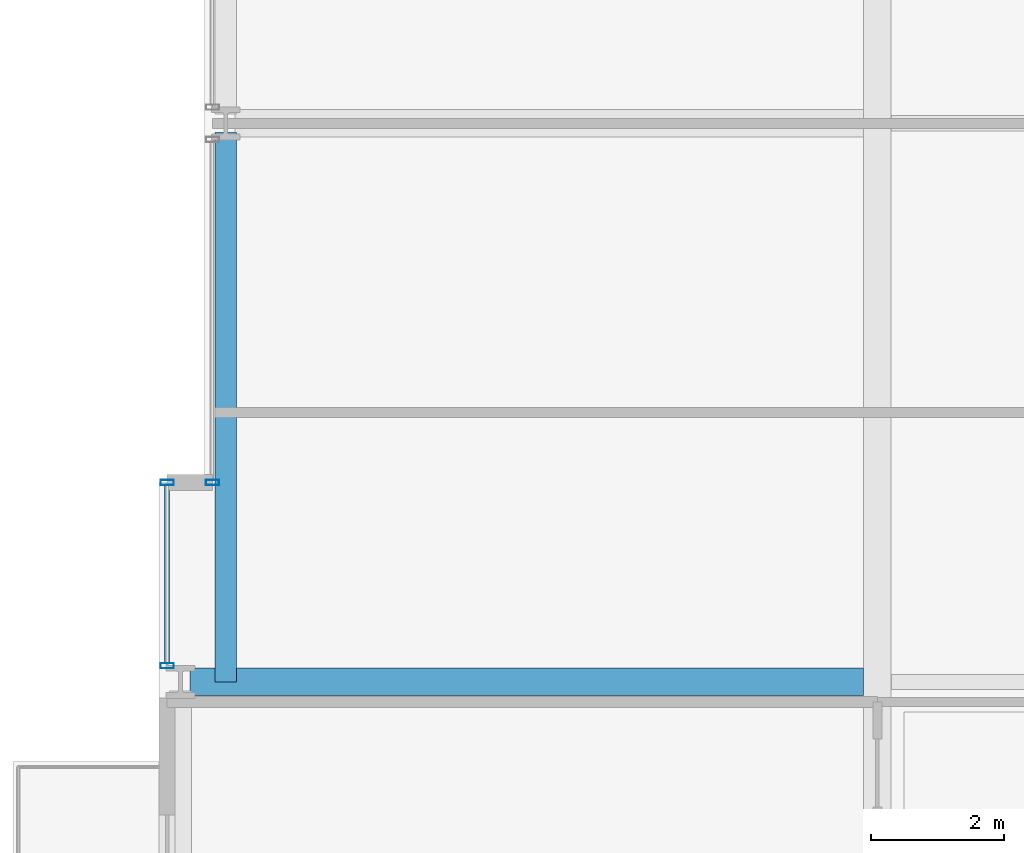
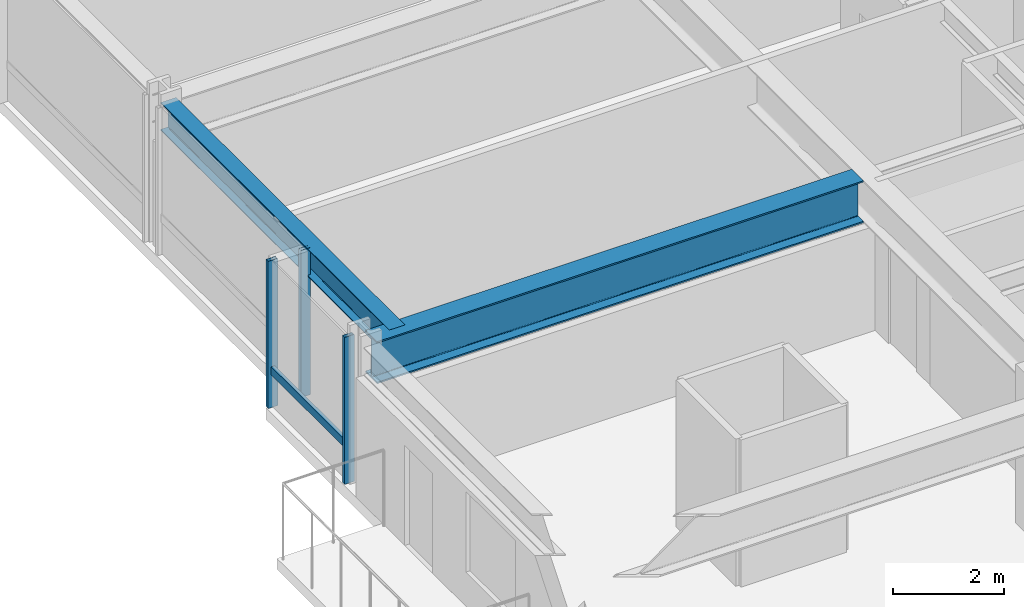
# One storey, part 7 of 42: 4 members, 2 beams, 2 elements without a shape of their own.
"""IFC4 building model written with IfcOpenShell, lengths in metres."""

from ifc_helpers import new_model, si_unit, direction, frame, origin, origin_2d, place, context, subcontext, project, spatial, hollow_rectangle, i_section, extrude, material, layer, layer_set, material_profile, profile_set, type_object, element, aggregate, save


model = new_model("IFC4")

# Units and contexts
model_context = context("Model", 3, precision=1e-05, world=origin(), true_north=direction((0.0, 1.0)))
body_context = subcontext(model_context, "Body", "Model", "MODEL_VIEW")
ifc_project = project(units=[si_unit("LENGTHUNIT", "METRE"), si_unit("AREAUNIT", "SQUARE_METRE"), si_unit("VOLUMEUNIT", "CUBIC_METRE"), si_unit("PLANEANGLEUNIT", "RADIAN"), si_unit("MASSUNIT", "GRAM", prefix="KILO")], contexts=[model_context])

# Site, building, storey
site_placement = place(None, origin())
site = spatial("IfcSite", under=ifc_project, at=site_placement, CompositionType="ELEMENT")
building_placement = place(site_placement, origin())
building = spatial("IfcBuilding", under=site, at=building_placement, Name="Drelvath Grand Hotel", CompositionType="ELEMENT")
storey_placement = place(building_placement, frame((0.0, 0.0, 33.199951171875)))
storey = spatial("IfcBuildingStorey", under=building, at=storey_placement, Name="L06", CompositionType="ELEMENT", Elevation=33.199951171875)

# Curtain wall, members
ifc_material_1 = material(Name="Warm Bronze Anodised Aluminium Frame", Category="aluminium")
ifc_layer = layer(ifc_material_1, 0.199951171875)
ifc_layer_set = layer_set([ifc_layer], Name="Warm Bronze Anodised Aluminium Frame")
curtain_wall_type = type_object("IfcCurtainWallType", Name="Stick Curtain Wall CW-02 Warm Bronze Low-Rise", PredefinedType="NOTDEFINED", material=ifc_layer_set)
curtain_wall_1_placement = place(storey_placement, origin())
curtain_wall_1 = element("IfcCurtainWall", 1, at=curtain_wall_1_placement, inside=storey, type_object=curtain_wall_type, Name="L06 CW-02 Curtain Wall CW02-L06-WS3", PredefinedType="NOTDEFINED")
ifc_material_profile_1 = material_profile(ifc_material_1, hollow_rectangle(XDim=0.074951171875, YDim=0.179931640625, WallThickness=0.0048828125, at=origin_2d()), Name="HSS180X75X5")
ifc_profile_set_1 = profile_set([ifc_material_profile_1], Name="Warm Bronze Anodised Aluminium Frame")
member_type_1 = type_object("IfcMemberType", Name="Curtain Wall Horizontal Transom CW-02 HSS180X75X5", PredefinedType="USERDEFINED", material=ifc_profile_set_1)
member_1_placement = place(storey_placement, frame((-26.8798828125, 18.880859375, 0.81005859375), z_axis=(0.0, 1.0, 0.0), x_axis=(-1.0, 0.0, 0.0)))
member_1 = element("IfcMember", 2, at=member_1_placement, type_object=member_type_1, Name="CW02-L06-WS3 Sill Transom", ObjectType="TRANSOM", PredefinedType="USERDEFINED", context=body_context, shape_type="SweptSolid", body=[
    extrude(hollow_rectangle(XDim=0.074951171875, YDim=0.179931640625, WallThickness=0.0048828125, at=origin_2d()), origin(), (0.0, 0.0, 1.0), 2.67919921875),
])
ifc_material_profile_2 = material_profile(ifc_material_1, hollow_rectangle(XDim=0.080078125, YDim=0.199951171875, WallThickness=0.0048828125, at=origin_2d()), Name="HSS200X80X5")
ifc_profile_set_2 = profile_set([ifc_material_profile_2], Name="Warm Bronze Anodised Aluminium Frame")
member_type_2 = type_object("IfcMemberType", Name="Curtain Wall Vertical Mullion CW-02 HSS200X80X5", PredefinedType="MULLION", material=ifc_profile_set_2)
member_2_placement = place(storey_placement, frame((-26.8798828125, 18.8408203125, 0.0), z_axis=(0.0, 0.0, 1.0), x_axis=(0.0, 1.0, 0.0)))
member_2 = element("IfcMember", 3, at=member_2_placement, type_object=member_type_2, Name="CW02-L06-WS3 Mullion 1", PredefinedType="MULLION", context=body_context, shape_type="SweptSolid", body=[
    extrude(hollow_rectangle(XDim=0.080078125, YDim=0.199951171875, WallThickness=0.0048828125, at=origin_2d()), origin(), (0.0, 0.0, 1.0), 3.239990234375),
])
member_3_placement = place(storey_placement, frame((-26.8798828125, 21.60009765625, 0.0), z_axis=(0.0, 0.0, 1.0), x_axis=(0.0, 1.0, 0.0)))
member_3 = element("IfcMember", 4, at=member_3_placement, type_object=member_type_2, Name="CW02-L06-WS3 Mullion 2", PredefinedType="MULLION", context=body_context, shape_type="SweptSolid", body=[
    extrude(hollow_rectangle(XDim=0.080078125, YDim=0.199951171875, WallThickness=0.0048828125, at=origin_2d()), origin(), (0.0, 0.0, 1.0), 3.239990234375),
])
aggregate(curtain_wall_1, [member_2, member_3, member_1])

# Curtain wall, member
curtain_wall_2_placement = place(storey_placement, origin())
curtain_wall_2 = element("IfcCurtainWall", 5, at=curtain_wall_2_placement, inside=storey, type_object=curtain_wall_type, Name="L06 CW-02 Curtain Wall CW02-L06-WM1", PredefinedType="NOTDEFINED")
member_4_placement = place(storey_placement, frame((-26.199951171875, 21.60009765625, 0.0), z_axis=(0.0, 0.0, 1.0), x_axis=(0.0, 1.0, 0.0)))
member_4 = element("IfcMember", 6, at=member_4_placement, type_object=member_type_2, Name="CW02-L06-WM1 Mullion 1", PredefinedType="MULLION", context=body_context, shape_type="SweptSolid", body=[
    extrude(hollow_rectangle(XDim=0.080078125, YDim=0.199951171875, WallThickness=0.0048828125, at=origin_2d()), origin(), (0.0, 0.0, 1.0), 3.239990234375),
])
aggregate(curtain_wall_2, [member_4])

# Beams
ifc_material_2 = material(Name="Steel ASTM A992 Gr 50", Category="steel")
ifc_material_profile_3 = material_profile(ifc_material_2, i_section(OverallWidth=0.323974609375, OverallDepth=0.611083984375, WebThickness=0.0126953125, FlangeThickness=0.01904296875, FilletRadius=0.02197265625, at=origin_2d()), Name="W24X104")
ifc_profile_set_3 = profile_set([ifc_material_profile_3], Name="Steel ASTM A992 Gr 50")
beam_type_1 = type_object("IfcBeamType", Name="Perimeter Spandrel Beam W24X104", PredefinedType="SPANDREL", material=ifc_profile_set_3)
beam_1_placement = place(storey_placement, frame((-26.0, 18.60009765625, 2.9345703125), z_axis=(0.0, 1.0, 0.0), x_axis=(-1.0, 0.0, 0.0)))
element("IfcBeam", 7, at=beam_1_placement, inside=storey, type_object=beam_type_1, Name="L06 Spandrel West Mid S", PredefinedType="SPANDREL", context=body_context, shape_type="SweptSolid", body=[
    extrude(i_section(OverallWidth=0.323974609375, OverallDepth=0.611083984375, WebThickness=0.0126953125, FlangeThickness=0.01904296875, FilletRadius=0.02197265625, at=origin_2d()), origin(), (0.0, 0.0, 1.0), 8.260009765625),
])
ifc_material_profile_4 = material_profile(ifc_material_2, i_section(OverallWidth=0.418212890625, OverallDepth=0.926513671875, WebThickness=0.019287109375, FlangeThickness=0.031982421875, FilletRadius=0.028076171875, at=origin_2d()), Name="W36X231")
ifc_profile_set_4 = profile_set([ifc_material_profile_4], Name="Steel ASTM A992 Gr 50")
beam_type_2 = type_object("IfcBeamType", Name="Primary Floor Girder W36X231", PredefinedType="BEAM", material=ifc_profile_set_4)
beam_2_placement = place(storey_placement, frame((-26.5400390625, 18.60009765625, 2.77685546875), z_axis=(1.0, 0.0, 0.0), x_axis=(0.0, 1.0, 0.0)))
element("IfcBeam", 8, at=beam_2_placement, inside=storey, type_object=beam_type_2, Name="L06 West Wing Girder D", PredefinedType="BEAM", context=body_context, shape_type="SweptSolid", body=[
    extrude(i_section(OverallWidth=0.418212890625, OverallDepth=0.926513671875, WebThickness=0.019287109375, FlangeThickness=0.031982421875, FilletRadius=0.028076171875, at=origin_2d()), origin(), (0.0, 0.0, 1.0), 10.130859375),
])

save(model, "model.ifc")
